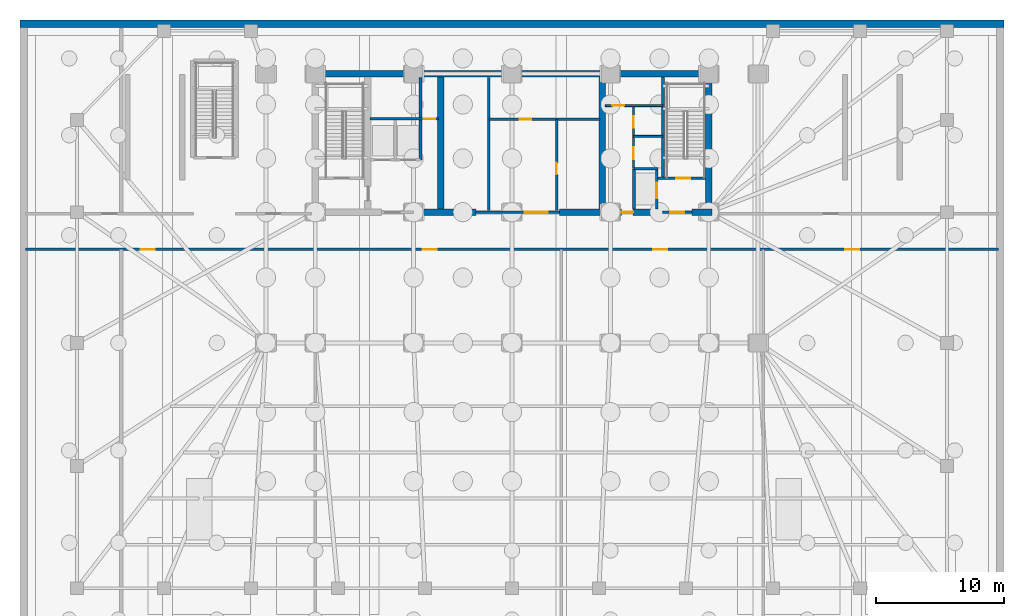
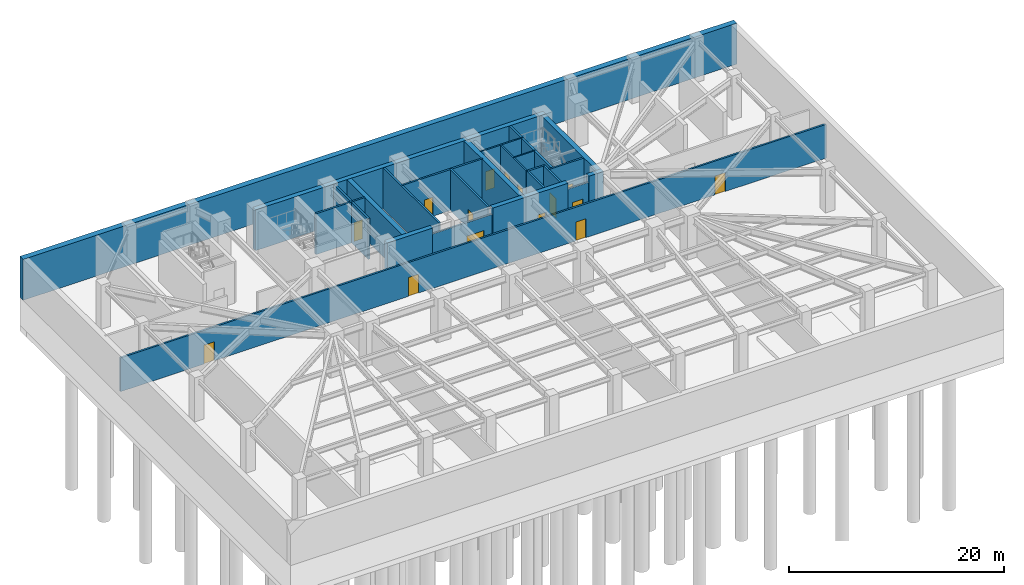
# One storey, part 5 of 9: 24 walls, 15 doors, 15 openings.
"""IFC4 building model written with IfcOpenShell, lengths in metres."""

import ifcopenshell
import ifcopenshell.guid

model = None  # the IFC model being written
_history = None  # IfcOwnerHistory: only IFC2X3 demands one
_inside = {}  # id of a spatial element -> (the spatial element, [elements in it])
_under = {}  # id of a project, library or spatial element -> (it, [spatial elements below it])
_declared = {}  # id of a project -> (the project, [libraries it declares])
_typed = {}  # id of a type object -> (the type object, [elements of that type])
_made_of = {}  # id of a material, layer set ... -> (it, [elements and type objects made of it])


def new_model(schema):
    """Start an empty IFC model of exactly this schema.

    Asked for "IFC4X3", IfcOpenShell would pick the latest addendum, in which some entities
    have other attributes; the version numbers below select the first issue.
    IFC2X3 requires an IfcOwnerHistory on every rooted entity: one is made here for all.
    """
    global model, _history
    if schema == "IFC4X3":
        model = ifcopenshell.file(schema_version=(4, 3, 0, 0))
    else:
        model = ifcopenshell.file(schema=schema)
    _inside.clear()
    _under.clear()
    _declared.clear()
    _typed.clear()
    _made_of.clear()
    _history = None
    if model.schema == "IFC2X3":
        org = make("IfcOrganization", Name="unknown")
        user = make(
            "IfcPersonAndOrganization",
            ThePerson=make("IfcPerson", FamilyName="unknown"),
            TheOrganization=org,
        )
        app = make(
            "IfcApplication",
            ApplicationDeveloper=org,
            Version="unknown",
            ApplicationFullName="unknown",
            ApplicationIdentifier="unknown",
        )
        _history = make(
            "IfcOwnerHistory",
            OwningUser=user,
            OwningApplication=app,
            ChangeAction="ADDED",
            CreationDate=0,
        )
    return model


def make(cls, **values):
    """One entity of the class cls with the attributes given. An attribute that is None is left unset."""
    return model.create_entity(
        cls, **{name: value for name, value in values.items() if value is not None}
    )


def rooted(cls, **values):
    """An entity with a GlobalId (a new one), such as an element, a storey or a relation."""
    return make(cls, GlobalId=ifcopenshell.guid.new(), OwnerHistory=_history, **values)


def si_unit(unit_type, name, prefix=None):
    """IfcSIUnit, for example si_unit("LENGTHUNIT", "METRE", prefix="MILLI")."""
    return make("IfcSIUnit", UnitType=unit_type, Prefix=prefix, Name=name)


def assignment(units):
    """IfcUnitAssignment: the units of a project."""
    return None if units is None else make("IfcUnitAssignment", Units=units)


def point(xyz):
    """IfcCartesianPoint."""
    return None if xyz is None else make("IfcCartesianPoint", Coordinates=xyz)


def direction(xyz):
    """IfcDirection."""
    return None if xyz is None else make("IfcDirection", DirectionRatios=xyz)


def frame(location, z_axis=None, x_axis=None):
    """IfcAxis2Placement3D, a coordinate frame: its origin and axes. An axis left out is left unset."""
    return make(
        "IfcAxis2Placement3D",
        Location=point(location),
        Axis=direction(z_axis),
        RefDirection=direction(x_axis),
    )


def frame_2d(location, x_axis=None):
    """IfcAxis2Placement2D, a coordinate frame in the plane: its origin and x axis."""
    return make(
        "IfcAxis2Placement2D", Location=point(location), RefDirection=direction(x_axis)
    )


def origin():
    """The frame at (0, 0, 0) with its axes left unset."""
    return frame((0.0, 0.0, 0.0))


def place(relative_to, where):
    """IfcLocalPlacement: puts the frame where relative to a parent placement (None: the world)."""
    return make(
        "IfcLocalPlacement", PlacementRelTo=relative_to, RelativePlacement=where
    )


def context(
    kind, dimensions, precision=None, world=None, true_north=None, identifier=None
):
    """IfcGeometricRepresentationContext, for example the 3D "Model" context."""
    return make(
        "IfcGeometricRepresentationContext",
        ContextIdentifier=identifier,
        ContextType=kind,
        CoordinateSpaceDimension=dimensions,
        Precision=precision,
        WorldCoordinateSystem=world,
        TrueNorth=true_north,
    )


def subcontext(parent, identifier, kind, view, scale=None):
    """IfcGeometricRepresentationSubContext, for example "Body" below "Model"."""
    return make(
        "IfcGeometricRepresentationSubContext",
        ContextIdentifier=identifier,
        ContextType=kind,
        ParentContext=parent,
        TargetScale=scale,
        TargetView=view,
    )


def project(units=None, contexts=None):
    """IfcProject with its units and contexts."""
    return rooted(
        "IfcProject",
        Name="project",
        RepresentationContexts=contexts,
        UnitsInContext=assignment(units),
    )


def spatial(cls, under=None, at=None, **own):
    """A site, building, storey or space (cls), placed at a placement, below another one or the project."""
    s = rooted(cls, ObjectPlacement=at, **own)
    if under is not None:
        _under.setdefault(under.id(), (under, []))[1].append(s)
    return s


def profile(cls, at=None, kind="AREA", **sizes):
    """A parametric profile (cls). Its sizes go by their IFC names, for example OverallWidth=200.0."""
    return make(cls, ProfileType=kind, Position=at, **sizes)


def rectangle(**sizes):
    """IfcRectangleProfileDef."""
    return profile("IfcRectangleProfileDef", **sizes)


def extrude(swept, where, along, depth):
    """IfcExtrudedAreaSolid: the profile swept, set in the frame where, extruded along a direction by depth."""
    return make(
        "IfcExtrudedAreaSolid",
        SweptArea=swept,
        Position=where,
        ExtrudedDirection=direction(along),
        Depth=depth,
    )


def shape(context_of_items, identifier, shape_type, items):
    """IfcShapeRepresentation: the items that make up one representation, for example the "Body"."""
    return make(
        "IfcShapeRepresentation",
        ContextOfItems=context_of_items,
        RepresentationIdentifier=identifier,
        RepresentationType=shape_type,
        Items=items,
    )


def material(Name=None, Category=None):
    """IfcMaterial."""
    return make("IfcMaterial", Name=Name, Category=Category)


def layer(
    of_material, thickness, ventilated=None, Name=None, Category=None, Priority=None
):
    """IfcMaterialLayer: one layer of a wall or slab, of a material (None: an air gap)."""
    return make(
        "IfcMaterialLayer",
        Material=of_material,
        LayerThickness=thickness,
        IsVentilated=ventilated,
        Name=Name,
        Category=Category,
        Priority=Priority,
    )


def layer_set(layers, Name=None):
    """IfcMaterialLayerSet."""
    return make("IfcMaterialLayerSet", MaterialLayers=layers, LayerSetName=Name)


def made_of(thing, what):
    """Note that an element or type object is made of a material, layer set ...; save() writes the relation."""
    if what is not None:
        _made_of.setdefault(what.id(), (what, []))[1].append(thing)
    return thing


def type_object(cls, material=None, **own):
    """A type object (cls), such as IfcWallType, which elements share."""
    return made_of(rooted(cls, **own), material)


def element(
    cls,
    number,
    at=None,
    inside=None,
    cuts=None,
    type_object=None,
    material=None,
    context=None,
    identifier="Body",
    shape_type=None,
    held_by="IfcProductDefinitionShape",
    body=None,
    shapes=None,
    **own,
):
    """One element of the class cls, such as IfcWall. Its Tag is "e" and its number.

    at: its placement. inside: the storey or other place that contains it. cuts: it is an
    opening in that element (IfcRelVoidsElement). A single representation is given by context,
    identifier, shape_type and body (its items); several are given by shapes. held_by: the class
    of the entity that holds the representations. save() writes the other relations.
    """
    e = rooted(cls, Tag="e%d" % number, ObjectPlacement=at, **own)
    if body is not None:
        shapes = [shape(context, identifier, shape_type, body)]
    if shapes is not None:
        e.Representation = make(held_by, Representations=shapes)
    if inside is not None:
        _inside.setdefault(inside.id(), (inside, []))[1].append(e)
    if cuts is not None:
        rooted(
            "IfcRelVoidsElement", RelatingBuildingElement=cuts, RelatedOpeningElement=e
        )
    if type_object is not None:
        _typed.setdefault(type_object.id(), (type_object, []))[1].append(e)
    return made_of(e, material)


def fill(opening, filler):
    """IfcRelFillsElement: the door or window that sits in an opening."""
    return rooted(
        "IfcRelFillsElement",
        RelatingOpeningElement=opening,
        RelatedBuildingElement=filler,
    )


def aggregate(whole, parts):
    """IfcRelAggregates: a whole, such as a stair, and the parts it consists of."""
    return rooted("IfcRelAggregates", RelatingObject=whole, RelatedObjects=parts)


def save(model, path):
    """Write the relations noted so far, then the file.

    IfcRelAggregates (storeys below a building ...), IfcRelContainedInSpatialStructure (elements
    in a storey), IfcRelDefinesByType, IfcRelAssociatesMaterial and IfcRelDeclares: one each for
    every whole, place, type object, material and project.
    """
    for whole, parts in _under.values():
        aggregate(whole, parts)
    for where, things in _inside.values():
        rooted(
            "IfcRelContainedInSpatialStructure",
            RelatedElements=things,
            RelatingStructure=where,
        )
    for kind, things in _typed.values():
        rooted("IfcRelDefinesByType", RelatedObjects=things, RelatingType=kind)
    for what, things in _made_of.values():
        rooted("IfcRelAssociatesMaterial", RelatedObjects=things, RelatingMaterial=what)
    for by, libraries in _declared.values():
        rooted("IfcRelDeclares", RelatingContext=by, RelatedDefinitions=libraries)
    model.write(path)


model = new_model("IFC4")

# Units and contexts
model_context = context("Model", 3, precision=1e-05, world=origin(), true_north=direction((0.0, 1.0)))
body_context = subcontext(model_context, "Body", "Model", "MODEL_VIEW")
ifc_project = project(units=[si_unit("LENGTHUNIT", "METRE"), si_unit("AREAUNIT", "SQUARE_METRE"), si_unit("VOLUMEUNIT", "CUBIC_METRE"), si_unit("PLANEANGLEUNIT", "RADIAN"), si_unit("MASSUNIT", "GRAM", prefix="KILO")], contexts=[model_context])

# Site, building, storey
site_placement = place(None, origin())
site = spatial("IfcSite", under=ifc_project, at=site_placement, CompositionType="ELEMENT")
building_placement = place(site_placement, origin())
building = spatial("IfcBuilding", under=site, at=building_placement, Name="Yelkora Congress Tower", CompositionType="ELEMENT")
storey_placement = place(building_placement, frame((0.0, 0.0, -10.0)))
storey = spatial("IfcBuildingStorey", under=building, at=storey_placement, Name="B02", CompositionType="ELEMENT", Elevation=-10.0)

# Walls
ifc_material_1 = material(Name="Concrete C50/60", Category="concrete")
ifc_layer_1 = layer(ifc_material_1, 0.219970703125)
ifc_layer_set_1 = layer_set([ifc_layer_1], Name="Concrete C50/60")
wall_type_1 = type_object("IfcWallType", Name="WALL-CORE-INT-220", PredefinedType="SHEAR", material=ifc_layer_set_1)
wall_1_placement = place(storey_placement, frame((50.179931640625, 38.050048828125, 0.0), z_axis=(0.0, 0.0, 1.0), x_axis=(0.0, 1.0, 0.0)))
element("IfcWall", 1, at=wall_1_placement, inside=storey, type_object=wall_type_1, Name="B02 ST02 West Stair Shear Wall", PredefinedType="SHEAR", context=body_context, shape_type="SweptSolid", body=[
    extrude(rectangle(XDim=7.89990234375, YDim=0.219970703125, at=frame_2d((3.949951171875, 0.0))), origin(), (0.0, 0.0, 1.0), 4.64990234375),
])
ifc_material_2 = material(Name="Concrete C60/75", Category="concrete")
ifc_layer_2 = layer(ifc_material_2, 0.5)
ifc_layer_set_2 = layer_set([ifc_layer_2], Name="Concrete C60/75")
wall_type_2 = type_object("IfcWallType", Name="WALL-CORE-INT-500", PredefinedType="SHEAR", material=ifc_layer_set_2)
wall_2_placement = place(storey_placement, frame((22.7900390625, 46.199951171875, 0.0), z_axis=(0.0, 0.0, 1.0), x_axis=(1.0, 0.0, 0.0)))
element("IfcWall", 2, at=wall_2_placement, inside=storey, type_object=wall_type_2, Name="B02 Rear Core North Shear Wall", PredefinedType="SHEAR", context=body_context, shape_type="SweptSolid", body=[
    extrude(rectangle(XDim=31.219970703125, YDim=0.5, at=frame_2d((15.60986328125, 0.0))), origin(), (0.0, 0.0, 1.0), 4.64990234375),
])
wall_3_placement = place(storey_placement, frame((30.719970703125, 35.39990234375, 0.0), z_axis=(0.0, 0.0, 1.0), x_axis=(1.0, 0.0, 0.0)))
element("IfcWall", 3, at=wall_3_placement, inside=storey, type_object=wall_type_2, Name="B02 Rear Core South-Center Shear Pier", PredefinedType="SHEAR", context=body_context, shape_type="SweptSolid", body=[
    extrude(rectangle(XDim=4.880126953125, YDim=0.5, at=frame_2d((2.43994140625, 0.0))), origin(), (0.0, 0.0, 1.0), 4.64990234375),
])

# Wall, opening, door
wall_4_placement = place(storey_placement, frame((42.10009765625, 35.39990234375, 0.0), z_axis=(0.0, 0.0, 1.0), x_axis=(1.0, 0.0, 0.0)))
wall_4 = element("IfcWall", 4, at=wall_4_placement, inside=storey, type_object=wall_type_2, Name="B02 Rear Core South-East Shear Wall A", PredefinedType="SHEAR", context=body_context, shape_type="SweptSolid", body=[
    extrude(rectangle(XDim=8.0498046875, YDim=0.5, at=frame_2d((4.02490234375, 0.0))), origin(), (0.0, 0.0, 1.0), 4.64990234375),
])
opening_1_placement = place(wall_4_placement, frame((4.85009765625, 0.0, 0.0)))
opening_1 = element("IfcOpeningElement", 5, at=opening_1_placement, cuts=wall_4, Name="Opening DR-090F6", PredefinedType="OPENING", context=body_context, shape_type="SweptSolid", body=[
    extrude(rectangle(XDim=0.89990234375, YDim=2.14990234375, at=frame_2d((0.449951171875, 1.074951171875))), frame((0.0, 0.260009765625, 0.0), z_axis=(0.0, -1.0, 0.0), x_axis=(1.0, 0.0, 0.0)), (0.0, 0.0, 1.0), 0.52001953125),
])
ifc_material_3 = material(Name="Painted steel riser fire door leaf", Category="steel")
door_type_1 = type_object("IfcDoorType", Name="DOOR-FD60-900", OperationType="NOTDEFINED", PredefinedType="DOOR", material=ifc_material_3)
door_1_placement = place(opening_1_placement, origin())
door_1 = element("IfcDoor", 6, at=door_1_placement, inside=storey, type_object=door_type_1, Name="B02 Core Washroom Lobby Door", OperationType="SINGLE_SWING_RIGHT", OverallHeight=2.14990234375, OverallWidth=0.89990234375, PredefinedType="DOOR", context=body_context, shape_type="SweptSolid", body=[
    extrude(rectangle(XDim=0.89990234375, YDim=2.14990234375, at=frame_2d((0.449951171875, 1.074951171875))), frame((0.0, 0.02490234375, 0.0), z_axis=(0.0, -1.0, 0.0), x_axis=(1.0, 0.0, 0.0)), (0.0, 0.0, 1.0), 0.050048828125),
])
fill(opening_1, door_1)

# Walls
wall_5_placement = place(storey_placement, frame((52.449951171875, 35.39990234375, 0.0), z_axis=(0.0, 0.0, 1.0), x_axis=(1.0, 0.0, 0.0)))
element("IfcWall", 7, at=wall_5_placement, inside=storey, type_object=wall_type_2, Name="B02 Rear Core South-East Shear Wall B", PredefinedType="SHEAR", context=body_context, shape_type="SweptSolid", body=[
    extrude(rectangle(XDim=1.56005859375, YDim=0.5, at=frame_2d((0.780029296875, 0.0))), origin(), (0.0, 0.0, 1.0), 4.64990234375),
])
for number, where, z_axis, x_axis, name in (
    (8, (32.85009765625, 35.64990234375, 0.0), (0.0, 0.0, 1.0), (0.0, 1.0, 0.0), "B02 Rear Core Cross Shear Wall C2"),
    (9, (45.449951171875, 35.64990234375, 0.0), (0.0, 0.0, 1.0), (0.0, 1.0, 0.0), "B02 Rear Core Cross Shear Wall C3"),
    (10, (53.760009765625, 35.64990234375, 0.0), (0.0, 0.0, 1.0), (0.0, 1.0, 0.0), "B02 Rear Core Cross Shear Wall E"),
):
    element("IfcWall", number, at=place(storey_placement, frame(where, z_axis=z_axis, x_axis=x_axis)), inside=storey, type_object=wall_type_2, Name=name, PredefinedType="SHEAR", context=body_context, shape_type="SweptSolid", body=[
        extrude(rectangle(XDim=10.300048828125, YDim=0.5, at=frame_2d((5.14990234375, 0.0))), origin(), (0.0, 0.0, 1.0), 4.64990234375),
    ])

# Wall, opening, door
ifc_material_4 = material(Name="Acoustic metal-stud gypsum partition", Category="gypsum")
ifc_layer_3 = layer(ifc_material_4, 0.14990234375)
ifc_layer_set_3 = layer_set([ifc_layer_3], Name="Acoustic metal-stud gypsum partition")
wall_type_3 = type_object("IfcWallType", Name="WALL-INT-150-NR", PredefinedType="PARTITIONING", material=ifc_layer_set_3)
wall_6_placement = place(storey_placement, frame((45.679931640625, 43.719970703125, 0.0), z_axis=(0.0, 0.0, 1.0), x_axis=(1.0, 0.0, 0.0)))
wall_6 = element("IfcWall", 11, at=wall_6_placement, inside=storey, type_object=wall_type_3, Name="B02 Partition Wall 16", PredefinedType="PARTITIONING", context=body_context, shape_type="SweptSolid", body=[
    extrude(rectangle(XDim=4.5, YDim=0.14990234375, at=frame_2d((2.25, 0.0))), origin(), (0.0, 0.0, 1.0), 4.64990234375),
])
opening_2_placement = place(wall_6_placement, frame((0.550048828125, 0.0, 0.0)))
opening_2 = element("IfcOpeningElement", 12, at=opening_2_placement, cuts=wall_6, Name="Opening DR-095N", PredefinedType="OPENING", context=body_context, shape_type="SweptSolid", body=[
    extrude(rectangle(XDim=0.949951171875, YDim=2.14990234375, at=frame_2d((0.47509765625, 1.074951171875))), frame((0.0, 0.0849609375, 0.0), z_axis=(0.0, -1.0, 0.0), x_axis=(1.0, 0.0, 0.0)), (0.0, 0.0, 1.0), 0.169921875),
])
ifc_material_5 = material(Name="Acoustic laminated timber office door", Category="wood")
door_type_2 = type_object("IfcDoorType", Name="DOOR-INT-950", OperationType="NOTDEFINED", PredefinedType="DOOR", material=ifc_material_5)
door_2_placement = place(opening_2_placement, origin())
door_2 = element("IfcDoor", 13, at=door_2_placement, inside=storey, type_object=door_type_2, Name="B02 Accessible WC Door", OperationType="SINGLE_SWING_RIGHT", OverallHeight=2.14990234375, OverallWidth=0.949951171875, PredefinedType="DOOR", context=body_context, shape_type="SweptSolid", body=[
    extrude(rectangle(XDim=0.949951171875, YDim=2.14990234375, at=frame_2d((0.47509765625, 1.074951171875))), frame((0.0, 0.02490234375, 0.0), z_axis=(0.0, -1.0, 0.0), x_axis=(1.0, 0.0, 0.0)), (0.0, 0.0, 1.0), 0.050048828125),
])
fill(opening_2, door_2)

# Wall
wall_7_placement = place(storey_placement, frame((47.8798828125, 41.320068359375, 0.0), z_axis=(0.0, 0.0, 1.0), x_axis=(1.0, 0.0, 0.0)))
element("IfcWall", 14, at=wall_7_placement, inside=storey, type_object=wall_type_3, Name="B02 Partition Wall 17", PredefinedType="PARTITIONING", context=body_context, shape_type="SweptSolid", body=[
    extrude(rectangle(XDim=2.300048828125, YDim=0.14990234375, at=frame_2d((1.14990234375, 0.0))), origin(), (0.0, 0.0, 1.0), 4.64990234375),
])

# Wall, openings, doors
wall_8_placement = place(storey_placement, frame((47.8798828125, 38.85009765625, 0.0), z_axis=(0.0, 0.0, 1.0), x_axis=(0.0, 1.0, 0.0)))
wall_8 = element("IfcWall", 15, at=wall_8_placement, inside=storey, type_object=wall_type_3, Name="B02 Partition Wall 18", PredefinedType="PARTITIONING", context=body_context, shape_type="SweptSolid", body=[
    extrude(rectangle(XDim=4.869873046875, YDim=0.14990234375, at=frame_2d((2.43505859375, 0.0))), origin(), (0.0, 0.0, 1.0), 4.64990234375),
])
opening_3_placement = place(wall_8_placement, frame((0.699951171875, 0.0, 0.0)))
opening_3 = element("IfcOpeningElement", 16, at=opening_3_placement, cuts=wall_8, Name="Opening DR-090N", PredefinedType="OPENING", context=body_context, shape_type="SweptSolid", body=[
    extrude(rectangle(XDim=0.89990234375, YDim=2.14990234375, at=frame_2d((0.449951171875, 1.074951171875))), frame((0.0, 0.0849609375, 0.0), z_axis=(0.0, -1.0, 0.0), x_axis=(1.0, 0.0, 0.0)), (0.0, 0.0, 1.0), 0.169921875),
])
opening_4_placement = place(wall_8_placement, frame((3.14990234375, 0.0, 0.0)))
opening_4 = element("IfcOpeningElement", 17, at=opening_4_placement, cuts=wall_8, Name="Opening DR-090N", PredefinedType="OPENING", context=body_context, shape_type="SweptSolid", body=[
    extrude(rectangle(XDim=0.89990234375, YDim=2.14990234375, at=frame_2d((0.449951171875, 1.074951171875))), frame((0.0, 0.0849609375, 0.0), z_axis=(0.0, -1.0, 0.0), x_axis=(1.0, 0.0, 0.0)), (0.0, 0.0, 1.0), 0.169921875),
])
ifc_material_6 = material(Name="Moisture-resistant laminate door leaf", Category="wood")
door_type_3 = type_object("IfcDoorType", Name="DOOR-INT-900", OperationType="NOTDEFINED", PredefinedType="DOOR", material=ifc_material_6)
door_3_placement = place(opening_3_placement, origin())
door_3 = element("IfcDoor", 18, at=door_3_placement, inside=storey, type_object=door_type_3, Name="B02 Male WC Door", OperationType="SINGLE_SWING_LEFT", OverallHeight=2.14990234375, OverallWidth=0.89990234375, PredefinedType="DOOR", context=body_context, shape_type="SweptSolid", body=[
    extrude(rectangle(XDim=0.89990234375, YDim=2.14990234375, at=frame_2d((0.449951171875, 1.074951171875))), frame((0.0, 0.02490234375, 0.0), z_axis=(0.0, -1.0, 0.0), x_axis=(1.0, 0.0, 0.0)), (0.0, 0.0, 1.0), 0.050048828125),
])
fill(opening_3, door_3)
door_4_placement = place(opening_4_placement, origin())
door_4 = element("IfcDoor", 19, at=door_4_placement, inside=storey, type_object=door_type_3, Name="B02 Female WC Door", OperationType="SINGLE_SWING_RIGHT", OverallHeight=2.14990234375, OverallWidth=0.89990234375, PredefinedType="DOOR", context=body_context, shape_type="SweptSolid", body=[
    extrude(rectangle(XDim=0.89990234375, YDim=2.14990234375, at=frame_2d((0.449951171875, 1.074951171875))), frame((0.0, 0.02490234375, 0.0), z_axis=(0.0, -1.0, 0.0), x_axis=(1.0, 0.0, 0.0)), (0.0, 0.0, 1.0), 0.050048828125),
])
fill(opening_4, door_4)

# Wall
ifc_material_7 = material(Name="Autoclaved aerated concrete blockwork", Category="masonry")
ifc_layer_4 = layer(ifc_material_7, 0.199951171875)
ifc_layer_set_4 = layer_set([ifc_layer_4], Name="Autoclaved aerated concrete blockwork")
wall_type_4 = type_object("IfcWallType", Name="WALL-INT-200-R120", PredefinedType="PARTITIONING", material=ifc_layer_set_4)
wall_9_placement = place(storey_placement, frame((31.260009765625, 39.47998046875, 0.0), z_axis=(0.0, 0.0, 1.0), x_axis=(0.0, 1.0, 0.0)))
element("IfcWall", 20, at=wall_9_placement, inside=storey, type_object=wall_type_4, Name="B02 Partition Wall 5", PredefinedType="PARTITIONING", context=body_context, shape_type="SweptSolid", body=[
    extrude(rectangle(XDim=6.43994140625, YDim=0.199951171875, at=frame_2d((3.219970703125, 0.0))), origin(), (0.0, 0.0, 1.0), 4.64990234375),
])

# Wall, opening, door
wall_10_placement = place(storey_placement, frame((27.320068359375, 42.679931640625, 0.0), z_axis=(0.0, 0.0, 1.0), x_axis=(1.0, 0.0, 0.0)))
wall_10 = element("IfcWall", 21, at=wall_10_placement, inside=storey, type_object=wall_type_4, Name="B02 Smoke Riser South Wall", PredefinedType="PARTITIONING", context=body_context, shape_type="SweptSolid", body=[
    extrude(rectangle(XDim=5.329833984375, YDim=0.199951171875, at=frame_2d((2.6650390625, 0.0))), origin(), (0.0, 0.0, 1.0), 4.64990234375),
])
opening_5_placement = place(wall_10_placement, frame((4.179931640625, 0.0, 0.0)))
opening_5 = element("IfcOpeningElement", 22, at=opening_5_placement, cuts=wall_10, Name="Opening DR-090F6", PredefinedType="OPENING", context=body_context, shape_type="SweptSolid", body=[
    extrude(rectangle(XDim=0.89990234375, YDim=2.14990234375, at=frame_2d((0.449951171875, 1.074951171875))), frame((0.0, 0.10986328125, 0.0), z_axis=(0.0, -1.0, 0.0), x_axis=(1.0, 0.0, 0.0)), (0.0, 0.0, 1.0), 0.219970703125),
])
door_5_placement = place(opening_5_placement, origin())
door_5 = element("IfcDoor", 23, at=door_5_placement, inside=storey, type_object=door_type_1, Name="B02 Riser Access Door", OperationType="SINGLE_SWING_LEFT", OverallHeight=2.14990234375, OverallWidth=0.89990234375, PredefinedType="DOOR", context=body_context, shape_type="SweptSolid", body=[
    extrude(rectangle(XDim=0.89990234375, YDim=2.14990234375, at=frame_2d((0.449951171875, 1.074951171875))), frame((0.0, 0.02490234375, 0.0), z_axis=(0.0, -1.0, 0.0), x_axis=(1.0, 0.0, 0.0)), (0.0, 0.0, 1.0), 0.050048828125),
])
fill(opening_5, door_5)

wall_11_placement = place(storey_placement, frame((35.60009765625, 35.39990234375, 0.0), z_axis=(0.0, 0.0, 1.0), x_axis=(1.0, 0.0, 0.0)))
wall_11 = element("IfcWall", 24, at=wall_11_placement, inside=storey, type_object=wall_type_4, Name="B02 Main Lift Lobby South Portal Wall", PredefinedType="PARTITIONING", context=body_context, shape_type="SweptSolid", body=[
    extrude(rectangle(XDim=6.5, YDim=0.199951171875, at=frame_2d((3.25, 0.0))), origin(), (0.0, 0.0, 1.0), 3.844970703125),
])
opening_6_placement = place(wall_11_placement, frame((3.800048828125, 0.0, 0.0)))
opening_6 = element("IfcOpeningElement", 25, at=opening_6_placement, cuts=wall_11, Name="Opening DR-180D", PredefinedType="OPENING", context=body_context, shape_type="SweptSolid", body=[
    extrude(rectangle(XDim=1.800048828125, YDim=2.300048828125, at=frame_2d((0.89990234375, 1.14990234375))), frame((0.0, 0.10986328125, 0.0), z_axis=(0.0, -1.0, 0.0), x_axis=(1.0, 0.0, 0.0)), (0.0, 0.0, 1.0), 0.219970703125),
])
ifc_material_8 = material(Name="Acoustic double congress hall doors", Category="wood")
door_type_4 = type_object("IfcDoorType", Name="DOOR-DBL-1800", OperationType="DOUBLE_DOOR_SINGLE_SWING", PredefinedType="DOOR", material=ifc_material_8)
door_6_placement = place(opening_6_placement, origin())
door_6 = element("IfcDoor", 26, at=door_6_placement, inside=storey, type_object=door_type_4, Name="B02 Main Lift Lobby Portal Door", OperationType="DOUBLE_DOOR_SINGLE_SWING", OverallHeight=2.300048828125, OverallWidth=1.800048828125, PredefinedType="DOOR", context=body_context, shape_type="SweptSolid", body=[
    extrude(rectangle(XDim=1.800048828125, YDim=2.300048828125, at=frame_2d((0.89990234375, 1.14990234375))), frame((0.0, 0.02490234375, 0.0), z_axis=(0.0, -1.0, 0.0), x_axis=(1.0, 0.0, 0.0)), (0.0, 0.0, 1.0), 0.050048828125),
])
fill(opening_6, door_6)

# Wall
wall_12_placement = place(storey_placement, frame((36.60009765625, 35.550048828125, 0.0), z_axis=(0.0, 0.0, 1.0), x_axis=(0.0, 1.0, 0.0)))
element("IfcWall", 27, at=wall_12_placement, inside=storey, type_object=wall_type_4, Name="B02 Partition Wall 8", PredefinedType="PARTITIONING", context=body_context, shape_type="SweptSolid", body=[
    extrude(rectangle(XDim=10.369873046875, YDim=0.199951171875, at=frame_2d((5.18505859375, 0.0))), origin(), (0.0, 0.0, 1.0), 4.64990234375),
])

# Wall, opening, door
wall_13_placement = place(storey_placement, frame((41.8798828125, 35.550048828125, 0.0), z_axis=(0.0, 0.0, 1.0), x_axis=(0.0, 1.0, 0.0)))
wall_13 = element("IfcWall", 28, at=wall_13_placement, inside=storey, type_object=wall_type_4, Name="B02 Partition Wall 9", PredefinedType="PARTITIONING", context=body_context, shape_type="SweptSolid", body=[
    extrude(rectangle(XDim=7.099853515625, YDim=0.199951171875, at=frame_2d((3.5498046875, 0.0))), origin(), (0.0, 0.0, 1.0), 4.64990234375),
])
opening_7_placement = place(wall_13_placement, frame((2.800048828125, 0.0, 0.0)))
opening_7 = element("IfcOpeningElement", 29, at=opening_7_placement, cuts=wall_13, Name="Opening DR-090F6", PredefinedType="OPENING", context=body_context, shape_type="SweptSolid", body=[
    extrude(rectangle(XDim=0.89990234375, YDim=2.14990234375, at=frame_2d((0.449951171875, 1.074951171875))), frame((0.0, 0.10986328125, 0.0), z_axis=(0.0, -1.0, 0.0), x_axis=(1.0, 0.0, 0.0)), (0.0, 0.0, 1.0), 0.219970703125),
])
door_7_placement = place(opening_7_placement, origin())
door_7 = element("IfcDoor", 30, at=door_7_placement, inside=storey, type_object=door_type_1, Name="B02 Interior Door 7", OperationType="SINGLE_SWING_LEFT", OverallHeight=2.14990234375, OverallWidth=0.89990234375, PredefinedType="DOOR", context=body_context, shape_type="SweptSolid", body=[
    extrude(rectangle(XDim=0.89990234375, YDim=2.14990234375, at=frame_2d((0.449951171875, 1.074951171875))), frame((0.0, 0.02490234375, 0.0), z_axis=(0.0, -1.0, 0.0), x_axis=(1.0, 0.0, 0.0)), (0.0, 0.0, 1.0), 0.050048828125),
])
fill(opening_7, door_7)

wall_14_placement = place(storey_placement, frame((36.60009765625, 42.64990234375, 0.0), z_axis=(0.0, 0.0, 1.0), x_axis=(1.0, 0.0, 0.0)))
wall_14 = element("IfcWall", 31, at=wall_14_placement, inside=storey, type_object=wall_type_4, Name="B02 Partition Wall 10", PredefinedType="PARTITIONING", context=body_context, shape_type="SweptSolid", body=[
    extrude(rectangle(XDim=8.679931640625, YDim=0.199951171875, at=frame_2d((4.33984375, 0.0))), origin(), (0.0, 0.0, 1.0), 4.64990234375),
])
opening_8_placement = place(wall_14_placement, frame((2.39990234375, 0.0, 0.0)))
opening_8 = element("IfcOpeningElement", 32, at=opening_8_placement, cuts=wall_14, Name="Opening DR-090F6", PredefinedType="OPENING", context=body_context, shape_type="SweptSolid", body=[
    extrude(rectangle(XDim=0.89990234375, YDim=2.14990234375, at=frame_2d((0.449951171875, 1.074951171875))), frame((0.0, 0.10986328125, 0.0), z_axis=(0.0, -1.0, 0.0), x_axis=(1.0, 0.0, 0.0)), (0.0, 0.0, 1.0), 0.219970703125),
])
door_8_placement = place(opening_8_placement, origin())
door_8 = element("IfcDoor", 33, at=door_8_placement, inside=storey, type_object=door_type_1, Name="B02 Interior Door 8", OperationType="SINGLE_SWING_RIGHT", OverallHeight=2.14990234375, OverallWidth=0.89990234375, PredefinedType="DOOR", context=body_context, shape_type="SweptSolid", body=[
    extrude(rectangle(XDim=0.89990234375, YDim=2.14990234375, at=frame_2d((0.449951171875, 1.074951171875))), frame((0.0, 0.02490234375, 0.0), z_axis=(0.0, -1.0, 0.0), x_axis=(1.0, 0.0, 0.0)), (0.0, 0.0, 1.0), 0.050048828125),
])
fill(opening_8, door_8)

wall_15_placement = place(storey_placement, frame((49.780029296875, 38.050048828125, 0.0), z_axis=(0.0, 0.0, 1.0), x_axis=(1.0, 0.0, 0.0)))
wall_15 = element("IfcWall", 34, at=wall_15_placement, inside=storey, type_object=wall_type_4, Name="B02 Stair ST-02 Enclosure Wall", PredefinedType="PARTITIONING", context=body_context, shape_type="SweptSolid", body=[
    extrude(rectangle(XDim=3.719970703125, YDim=0.199951171875, at=frame_2d((1.85986328125, 0.0))), origin(), (0.0, 0.0, 1.0), 4.64990234375),
])
opening_9_placement = place(wall_15_placement, frame((1.436279296875, 0.0, 0.0)))
opening_9 = element("IfcOpeningElement", 35, at=opening_9_placement, cuts=wall_15, Name="Opening DR-110F9", PredefinedType="OPENING", context=body_context, shape_type="SweptSolid", body=[
    extrude(rectangle(XDim=1.10009765625, YDim=2.14990234375, at=frame_2d((0.550048828125, 1.074951171875))), frame((0.0, 0.10986328125, 0.0), z_axis=(0.0, -1.0, 0.0), x_axis=(1.0, 0.0, 0.0)), (0.0, 0.0, 1.0), 0.219970703125),
])
ifc_material_9 = material(Name="Galvanised steel fire door leaf", Category="steel")
door_type_5 = type_object("IfcDoorType", Name="DOOR-FD90-1100", OperationType="NOTDEFINED", PredefinedType="DOOR", material=ifc_material_9)
door_9_placement = place(opening_9_placement, origin())
door_9 = element("IfcDoor", 36, at=door_9_placement, inside=storey, type_object=door_type_5, Name="B02 Stair ST-02 Entry Door", OperationType="SINGLE_SWING_LEFT", OverallHeight=2.14990234375, OverallWidth=1.10009765625, PredefinedType="DOOR", context=body_context, shape_type="SweptSolid", body=[
    extrude(rectangle(XDim=1.10009765625, YDim=2.14990234375, at=frame_2d((0.550048828125, 1.074951171875))), frame((0.0, 0.02490234375, 0.0), z_axis=(0.0, -1.0, 0.0), x_axis=(1.0, 0.0, 0.0)), (0.0, 0.0, 1.0), 0.050048828125),
])
fill(opening_9, door_9)

wall_16_placement = place(storey_placement, frame((50.14990234375, 35.39990234375, 0.0), z_axis=(0.0, 0.0, 1.0), x_axis=(1.0, 0.0, 0.0)))
wall_16 = element("IfcWall", 37, at=wall_16_placement, inside=storey, type_object=wall_type_4, Name="B02 Partition Wall 12", PredefinedType="PARTITIONING", context=body_context, shape_type="SweptSolid", body=[
    extrude(rectangle(XDim=2.300048828125, YDim=0.199951171875, at=frame_2d((1.14990234375, 0.0))), origin(), (0.0, 0.0, 1.0), 3.844970703125),
])
opening_10_placement = place(wall_16_placement, frame((0.60009765625, 0.0, 0.0)))
opening_10 = element("IfcOpeningElement", 38, at=opening_10_placement, cuts=wall_16, Name="Opening DR-110F9", PredefinedType="OPENING", context=body_context, shape_type="SweptSolid", body=[
    extrude(rectangle(XDim=1.10009765625, YDim=2.14990234375, at=frame_2d((0.550048828125, 1.074951171875))), frame((0.0, 0.10986328125, 0.0), z_axis=(0.0, -1.0, 0.0), x_axis=(1.0, 0.0, 0.0)), (0.0, 0.0, 1.0), 0.219970703125),
])
door_10_placement = place(opening_10_placement, origin())
door_10 = element("IfcDoor", 39, at=door_10_placement, inside=storey, type_object=door_type_5, Name="B02 East Stair Lobby Door", OperationType="SINGLE_SWING_RIGHT", OverallHeight=2.14990234375, OverallWidth=1.10009765625, PredefinedType="DOOR", context=body_context, shape_type="SweptSolid", body=[
    extrude(rectangle(XDim=1.10009765625, YDim=2.14990234375, at=frame_2d((0.550048828125, 1.074951171875))), frame((0.0, 0.02490234375, 0.0), z_axis=(0.0, -1.0, 0.0), x_axis=(1.0, 0.0, 0.0)), (0.0, 0.0, 1.0), 0.050048828125),
])
fill(opening_10, door_10)

wall_17_placement = place(storey_placement, frame((49.699951171875, 35.64990234375, 0.0), z_axis=(0.0, 0.0, 1.0), x_axis=(0.0, 1.0, 0.0)))
wall_17 = element("IfcWall", 40, at=wall_17_placement, inside=storey, type_object=wall_type_4, Name="B02 Partition Wall 13", PredefinedType="PARTITIONING", context=body_context, shape_type="SweptSolid", body=[
    extrude(rectangle(XDim=3.150146484375, YDim=0.199951171875, at=frame_2d((1.5751953125, 0.0))), origin(), (0.0, 0.0, 1.0), 4.64990234375),
])
opening_11_placement = place(wall_17_placement, frame((0.85009765625, 0.0, 0.0)))
opening_11 = element("IfcOpeningElement", 41, at=opening_11_placement, cuts=wall_17, Name="Opening LD-SV12", PredefinedType="OPENING", context=body_context, shape_type="SweptSolid", body=[
    extrude(rectangle(XDim=1.199951171875, YDim=2.199951171875, at=frame_2d((0.60009765625, 1.10009765625))), frame((0.0, 0.10986328125, 0.0), z_axis=(0.0, -1.0, 0.0), x_axis=(1.0, 0.0, 0.0)), (0.0, 0.0, 1.0), 0.219970703125),
])
ifc_material_10 = material(Name="Heavy-duty stainless steel landing door", Category="steel")
door_type_6 = type_object("IfcDoorType", Name="DOOR-LIFT-SRV-1200", OperationType="DOUBLE_DOOR_SLIDING", PredefinedType="DOOR", material=ifc_material_10)
door_11_placement = place(opening_11_placement, origin())
door_11 = element("IfcDoor", 42, at=door_11_placement, inside=storey, type_object=door_type_6, Name="Service Lift Landing Door LF-SV1 B02", OperationType="DOUBLE_DOOR_SLIDING", OverallHeight=2.199951171875, OverallWidth=1.199951171875, PredefinedType="DOOR", context=body_context, shape_type="SweptSolid", body=[
    extrude(rectangle(XDim=1.199951171875, YDim=2.199951171875, at=frame_2d((0.60009765625, 1.10009765625))), frame((0.0, 0.02490234375, 0.0), z_axis=(0.0, -1.0, 0.0), x_axis=(1.0, 0.0, 0.0)), (0.0, 0.0, 1.0), 0.050048828125),
])
fill(opening_11, door_11)

# Walls
wall_18_placement = place(storey_placement, frame((47.919921875, 35.64990234375, 0.0), z_axis=(0.0, 0.0, 1.0), x_axis=(0.0, 1.0, 0.0)))
element("IfcWall", 43, at=wall_18_placement, inside=storey, type_object=wall_type_4, Name="B02 Partition Wall 14", PredefinedType="PARTITIONING", context=body_context, shape_type="SweptSolid", body=[
    extrude(rectangle(XDim=3.150146484375, YDim=0.199951171875, at=frame_2d((1.5751953125, 0.0))), origin(), (0.0, 0.0, 1.0), 4.64990234375),
])
wall_19_placement = place(storey_placement, frame((47.919921875, 38.800048828125, 0.0), z_axis=(0.0, 0.0, 1.0), x_axis=(1.0, 0.0, 0.0)))
element("IfcWall", 44, at=wall_19_placement, inside=storey, type_object=wall_type_4, Name="B02 Partition Wall 15", PredefinedType="PARTITIONING", context=body_context, shape_type="SweptSolid", body=[
    extrude(rectangle(XDim=1.860107421875, YDim=0.199951171875, at=frame_2d((0.93017578125, 0.0))), origin(), (0.0, 0.0, 1.0), 4.64990234375),
])

# Wall, openings, doors
wall_20_placement = place(storey_placement, frame((0.419921875, 32.5, 0.0), z_axis=(0.0, 0.0, 1.0), x_axis=(1.0, 0.0, 0.0)))
wall_20 = element("IfcWall", 45, at=wall_20_placement, inside=storey, type_object=wall_type_4, Name="B02 Partition Wall 24", PredefinedType="PARTITIONING", context=body_context, shape_type="SweptSolid", body=[
    extrude(rectangle(XDim=75.9599609375, YDim=0.199951171875, at=frame_2d((37.97998046875, 0.0))), origin(), (0.0, 0.0, 1.0), 3.844970703125),
])
opening_12_placement = place(wall_20_placement, frame((9.0, 0.0, 0.0)))
opening_12 = element("IfcOpeningElement", 46, at=opening_12_placement, cuts=wall_20, Name="Opening DR-110F9", PredefinedType="OPENING", context=body_context, shape_type="SweptSolid", body=[
    extrude(rectangle(XDim=1.10009765625, YDim=2.14990234375, at=frame_2d((0.550048828125, 1.074951171875))), frame((0.0, 0.10986328125, 0.0), z_axis=(0.0, -1.0, 0.0), x_axis=(1.0, 0.0, 0.0)), (0.0, 0.0, 1.0), 0.219970703125),
])
opening_13_placement = place(wall_20_placement, frame((31.0, 0.0, 0.0)))
opening_13 = element("IfcOpeningElement", 47, at=opening_13_placement, cuts=wall_20, Name="Opening DR-110F9", PredefinedType="OPENING", context=body_context, shape_type="SweptSolid", body=[
    extrude(rectangle(XDim=1.10009765625, YDim=2.14990234375, at=frame_2d((0.550048828125, 1.074951171875))), frame((0.0, 0.10986328125, 0.0), z_axis=(0.0, -1.0, 0.0), x_axis=(1.0, 0.0, 0.0)), (0.0, 0.0, 1.0), 0.219970703125),
])
opening_14_placement = place(wall_20_placement, frame((49.0, 0.0, 0.0)))
opening_14 = element("IfcOpeningElement", 48, at=opening_14_placement, cuts=wall_20, Name="Opening DR-110F9", PredefinedType="OPENING", context=body_context, shape_type="SweptSolid", body=[
    extrude(rectangle(XDim=1.10009765625, YDim=2.14990234375, at=frame_2d((0.550048828125, 1.074951171875))), frame((0.0, 0.10986328125, 0.0), z_axis=(0.0, -1.0, 0.0), x_axis=(1.0, 0.0, 0.0)), (0.0, 0.0, 1.0), 0.219970703125),
])
opening_15_placement = place(wall_20_placement, frame((64.0, 0.0, 0.0)))
opening_15 = element("IfcOpeningElement", 49, at=opening_15_placement, cuts=wall_20, Name="Opening DR-110F9", PredefinedType="OPENING", context=body_context, shape_type="SweptSolid", body=[
    extrude(rectangle(XDim=1.10009765625, YDim=2.14990234375, at=frame_2d((0.550048828125, 1.074951171875))), frame((0.0, 0.10986328125, 0.0), z_axis=(0.0, -1.0, 0.0), x_axis=(1.0, 0.0, 0.0)), (0.0, 0.0, 1.0), 0.219970703125),
])
door_12_placement = place(opening_12_placement, origin())
door_12 = element("IfcDoor", 50, at=door_12_placement, inside=storey, type_object=door_type_5, Name="B02 Interior Door 19", OperationType="SINGLE_SWING_LEFT", OverallHeight=2.14990234375, OverallWidth=1.10009765625, PredefinedType="DOOR", context=body_context, shape_type="SweptSolid", body=[
    extrude(rectangle(XDim=1.10009765625, YDim=2.14990234375, at=frame_2d((0.550048828125, 1.074951171875))), frame((0.0, 0.02490234375, 0.0), z_axis=(0.0, -1.0, 0.0), x_axis=(1.0, 0.0, 0.0)), (0.0, 0.0, 1.0), 0.050048828125),
])
fill(opening_12, door_12)
door_13_placement = place(opening_13_placement, origin())
door_13 = element("IfcDoor", 51, at=door_13_placement, inside=storey, type_object=door_type_5, Name="B02 Interior Door 20", OperationType="SINGLE_SWING_RIGHT", OverallHeight=2.14990234375, OverallWidth=1.10009765625, PredefinedType="DOOR", context=body_context, shape_type="SweptSolid", body=[
    extrude(rectangle(XDim=1.10009765625, YDim=2.14990234375, at=frame_2d((0.550048828125, 1.074951171875))), frame((0.0, 0.02490234375, 0.0), z_axis=(0.0, -1.0, 0.0), x_axis=(1.0, 0.0, 0.0)), (0.0, 0.0, 1.0), 0.050048828125),
])
fill(opening_13, door_13)
door_14_placement = place(opening_14_placement, origin())
door_14 = element("IfcDoor", 52, at=door_14_placement, inside=storey, type_object=door_type_5, Name="B02 Interior Door 21", OperationType="SINGLE_SWING_LEFT", OverallHeight=2.14990234375, OverallWidth=1.10009765625, PredefinedType="DOOR", context=body_context, shape_type="SweptSolid", body=[
    extrude(rectangle(XDim=1.10009765625, YDim=2.14990234375, at=frame_2d((0.550048828125, 1.074951171875))), frame((0.0, 0.02490234375, 0.0), z_axis=(0.0, -1.0, 0.0), x_axis=(1.0, 0.0, 0.0)), (0.0, 0.0, 1.0), 0.050048828125),
])
fill(opening_14, door_14)
door_15_placement = place(opening_15_placement, origin())
door_15 = element("IfcDoor", 53, at=door_15_placement, inside=storey, type_object=door_type_5, Name="B02 Interior Door 22", OperationType="SINGLE_SWING_RIGHT", OverallHeight=2.14990234375, OverallWidth=1.10009765625, PredefinedType="DOOR", context=body_context, shape_type="SweptSolid", body=[
    extrude(rectangle(XDim=1.10009765625, YDim=2.14990234375, at=frame_2d((0.550048828125, 1.074951171875))), frame((0.0, 0.02490234375, 0.0), z_axis=(0.0, -1.0, 0.0), x_axis=(1.0, 0.0, 0.0)), (0.0, 0.0, 1.0), 0.050048828125),
])
fill(opening_15, door_15)

# Wall
ifc_layer_5 = layer(ifc_material_1, 0.60009765625)
ifc_layer_set_5 = layer_set([ifc_layer_5], Name="Concrete C50/60")
wall_type_5 = type_object("IfcWallType", Name="WALL-RET-600", PredefinedType="USERDEFINED", material=ifc_layer_set_5)
wall_21_placement = place(storey_placement, frame((0.0, 50.10009765625, 0.0), z_axis=(0.0, 0.0, 1.0), x_axis=(1.0, 0.0, 0.0)))
element("IfcWall", 54, at=wall_21_placement, inside=storey, type_object=wall_type_5, Name="B02 North Retaining Wall", ObjectType="RETAININGWALL", PredefinedType="USERDEFINED", context=body_context, shape_type="SweptSolid", body=[
    extrude(rectangle(XDim=76.800048828125, YDim=0.60009765625, at=frame_2d((38.39990234375, 0.0))), origin(), (0.0, 0.0, 1.0), 4.64990234375),
])

save(model, "model.ifc")
